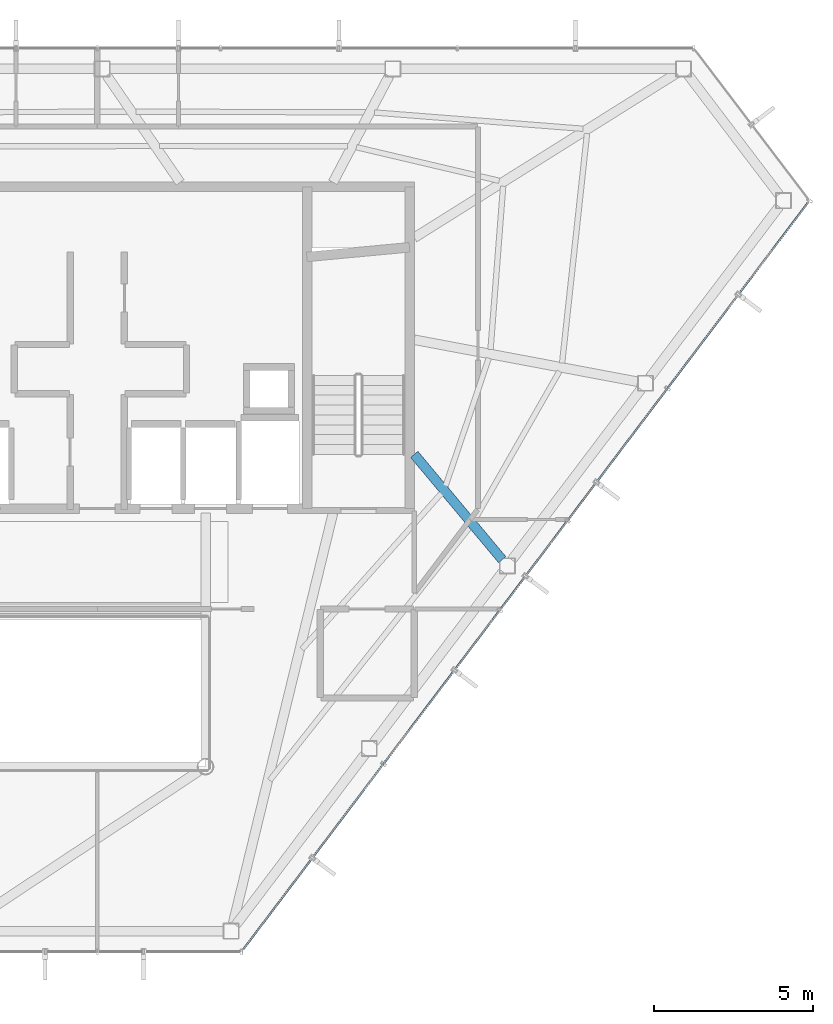
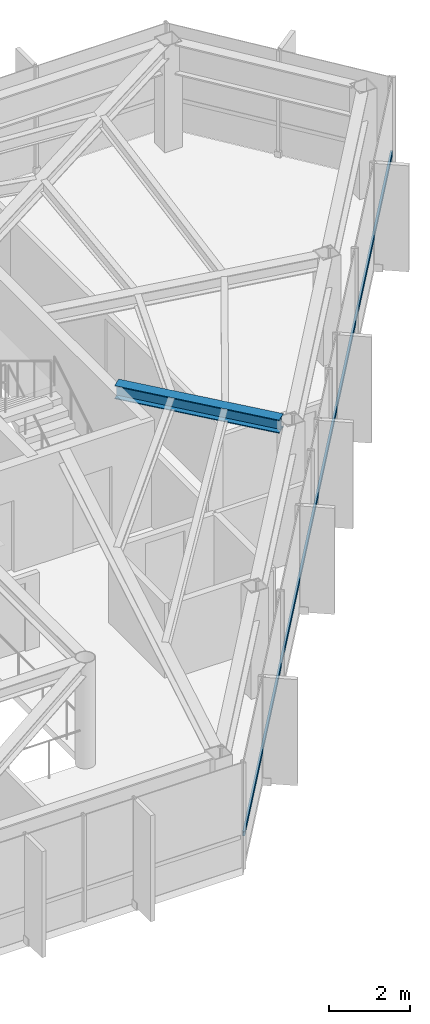
# One storey, part 16 of 24: 1 beam, 1 member, 1 element without a shape of its own.
"""IFC4 building model written with IfcOpenShell, lengths in metres."""

from ifc_helpers import new_model, si_unit, direction, frame, origin, origin_2d, place, context, subcontext, project, spatial, hollow_rectangle, i_section, extrude, material, layer, layer_set, material_profile, profile_set, type_object, element, aggregate, save


model = new_model("IFC4")

# Units and contexts
model_context = context("Model", 3, precision=1e-05, world=origin(), true_north=direction((0.0, 1.0)))
body_context = subcontext(model_context, "Body", "Model", "MODEL_VIEW")
ifc_project = project(units=[si_unit("LENGTHUNIT", "METRE"), si_unit("AREAUNIT", "SQUARE_METRE"), si_unit("VOLUMEUNIT", "CUBIC_METRE"), si_unit("PLANEANGLEUNIT", "RADIAN"), si_unit("MASSUNIT", "GRAM", prefix="KILO")], contexts=[model_context])

# Site, building, storey
site_placement = place(None, origin())
site = spatial("IfcSite", under=ifc_project, at=site_placement, CompositionType="ELEMENT")
building_placement = place(site_placement, origin())
building = spatial("IfcBuilding", under=site, at=building_placement, Name="Zarrinselat Tower", CompositionType="ELEMENT")
storey_placement = place(building_placement, frame((0.0, 0.0, 268.60009765625)))
storey = spatial("IfcBuildingStorey", under=building, at=storey_placement, Name="L68", CompositionType="ELEMENT", Elevation=268.60009765625)

# Beam
ifc_material_1 = material(Name="Steel S355J2", Category="steel")
ifc_material_profile_1 = material_profile(ifc_material_1, i_section(OverallWidth=0.300048828125, OverallDepth=0.39990234375, WebThickness=0.013427734375, FlangeThickness=0.02392578125, at=origin_2d()), Name="HEB 400")
ifc_profile_set_1 = profile_set([ifc_material_profile_1], Name="Steel S355J2")
beam_type = type_object("IfcBeamType", Name="BM-HEB400", PredefinedType="BEAM", material=ifc_profile_set_1)
beam_placement = place(storey_placement, frame((48.35009765625, 35.0, 2.97998046875), z_axis=(0.64127675629, -0.767309664895, 0.0), x_axis=(0.767309664895, 0.64127675629, 0.0)))
element("IfcBeam", 1, at=beam_placement, inside=storey, type_object=beam_type, Name="L68 Radial Primary Girder RG13", PredefinedType="BEAM", context=body_context, shape_type="SweptSolid", body=[
    extrude(i_section(OverallWidth=0.300048828125, OverallDepth=0.39990234375, WebThickness=0.013427734375, FlangeThickness=0.02392578125, at=origin_2d()), origin(), (0.0, 0.0, 1.0), 4.30615234375),
])

# Curtain wall, member
ifc_material_2 = material(Name="Extruded Aluminium Alloy EN AW-6063 T6", Category="aluminium")
ifc_layer = layer(ifc_material_2, 0.199951171875)
ifc_layer_set = layer_set([ifc_layer], Name="Extruded Aluminium Alloy EN AW-6063 T6")
curtain_wall_type = type_object("IfcCurtainWallType", Name="CWS-BLADE", PredefinedType="NOTDEFINED", material=ifc_layer_set)
curtain_wall_placement = place(storey_placement, origin())
curtain_wall = element("IfcCurtainWall", 2, at=curtain_wall_placement, inside=storey, type_object=curtain_wall_type, Name="L68 Unitised Curtain Wall CW-L68-E05", PredefinedType="NOTDEFINED")
ifc_material_3 = material(Name="Extruded Aluminium Alloy EN AW-6063 T6", Category="aluminium")
ifc_material_profile_2 = material_profile(ifc_material_3, hollow_rectangle(XDim=0.06005859375, YDim=0.139892578125, WallThickness=0.00390625, at=origin_2d()), Name="RHS 140x60x4")
ifc_profile_set_2 = profile_set([ifc_material_profile_2], Name="Extruded Aluminium Alloy EN AW-6063 T6")
member_type = type_object("IfcMemberType", Name="MEM-CW-TRN", PredefinedType="USERDEFINED", material=ifc_profile_set_2)
member_placement = place(storey_placement, frame((42.9814453125, 19.459716796875, 0.949951171875), z_axis=(0.603166040735, 0.797615651366, 0.0), x_axis=(-0.797615651366, 0.603166040735, 0.0)))
member = element("IfcMember", 3, at=member_placement, type_object=member_type, Name="CW-L68-E05 Transom 1", ObjectType="TRANSOM", PredefinedType="USERDEFINED", context=body_context, shape_type="SweptSolid", body=[
    extrude(hollow_rectangle(XDim=0.06005859375, YDim=0.139892578125, WallThickness=0.00390625, at=origin_2d()), origin(), (0.0, 0.0, 1.0), 29.38232421875),
])
aggregate(curtain_wall, [member])

save(model, "model.ifc")
